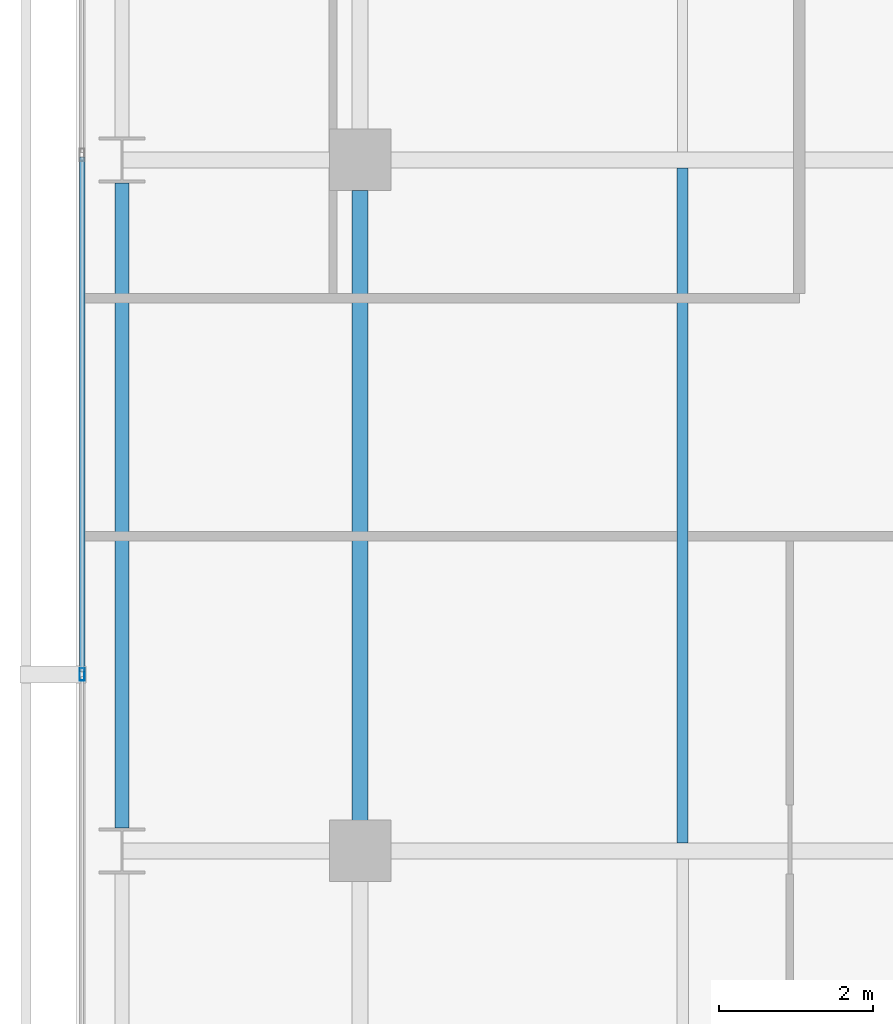
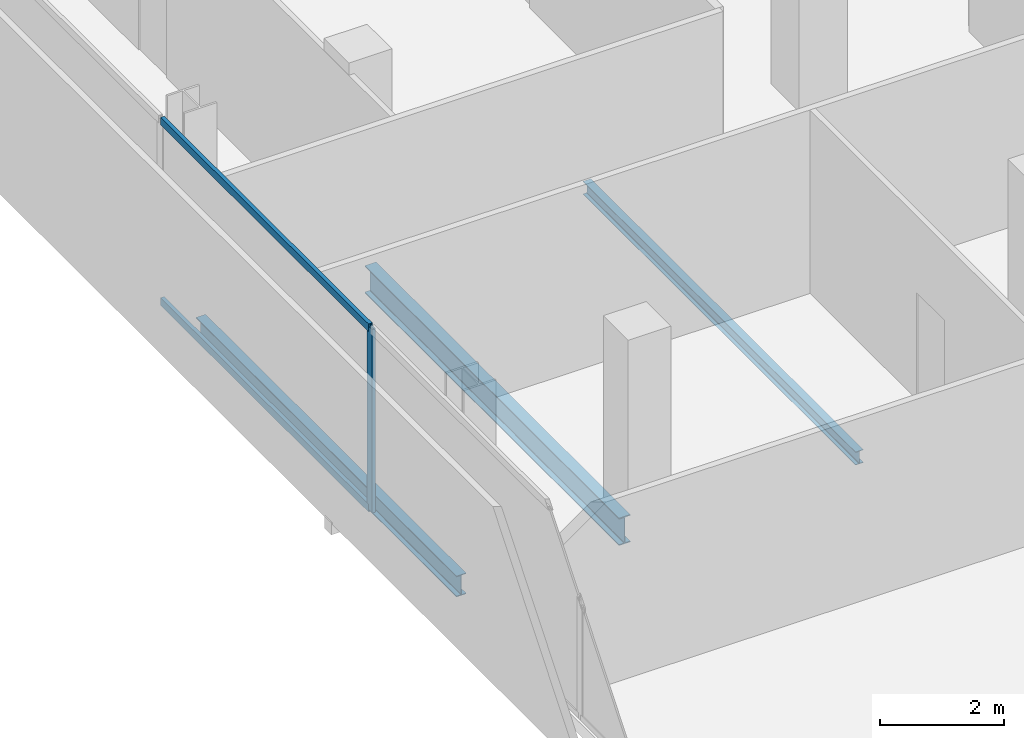
# One storey, part 10 of 32: 3 beams, 3 members, 1 element without a shape of its own.
"""IFC4 building model written with IfcOpenShell, lengths in metres."""

import ifcopenshell
import ifcopenshell.guid

model = None  # the IFC model being written
_history = None  # IfcOwnerHistory: only IFC2X3 demands one
_inside = {}  # id of a spatial element -> (the spatial element, [elements in it])
_under = {}  # id of a project, library or spatial element -> (it, [spatial elements below it])
_declared = {}  # id of a project -> (the project, [libraries it declares])
_typed = {}  # id of a type object -> (the type object, [elements of that type])
_made_of = {}  # id of a material, layer set ... -> (it, [elements and type objects made of it])


def new_model(schema):
    """Start an empty IFC model of exactly this schema.

    Asked for "IFC4X3", IfcOpenShell would pick the latest addendum, in which some entities
    have other attributes; the version numbers below select the first issue.
    IFC2X3 requires an IfcOwnerHistory on every rooted entity: one is made here for all.
    """
    global model, _history
    if schema == "IFC4X3":
        model = ifcopenshell.file(schema_version=(4, 3, 0, 0))
    else:
        model = ifcopenshell.file(schema=schema)
    _inside.clear()
    _under.clear()
    _declared.clear()
    _typed.clear()
    _made_of.clear()
    _history = None
    if model.schema == "IFC2X3":
        org = make("IfcOrganization", Name="unknown")
        user = make(
            "IfcPersonAndOrganization",
            ThePerson=make("IfcPerson", FamilyName="unknown"),
            TheOrganization=org,
        )
        app = make(
            "IfcApplication",
            ApplicationDeveloper=org,
            Version="unknown",
            ApplicationFullName="unknown",
            ApplicationIdentifier="unknown",
        )
        _history = make(
            "IfcOwnerHistory",
            OwningUser=user,
            OwningApplication=app,
            ChangeAction="ADDED",
            CreationDate=0,
        )
    return model


def make(cls, **values):
    """One entity of the class cls with the attributes given. An attribute that is None is left unset."""
    return model.create_entity(
        cls, **{name: value for name, value in values.items() if value is not None}
    )


def rooted(cls, **values):
    """An entity with a GlobalId (a new one), such as an element, a storey or a relation."""
    return make(cls, GlobalId=ifcopenshell.guid.new(), OwnerHistory=_history, **values)


def si_unit(unit_type, name, prefix=None):
    """IfcSIUnit, for example si_unit("LENGTHUNIT", "METRE", prefix="MILLI")."""
    return make("IfcSIUnit", UnitType=unit_type, Prefix=prefix, Name=name)


def assignment(units):
    """IfcUnitAssignment: the units of a project."""
    return None if units is None else make("IfcUnitAssignment", Units=units)


def point(xyz):
    """IfcCartesianPoint."""
    return None if xyz is None else make("IfcCartesianPoint", Coordinates=xyz)


def direction(xyz):
    """IfcDirection."""
    return None if xyz is None else make("IfcDirection", DirectionRatios=xyz)


def frame(location, z_axis=None, x_axis=None):
    """IfcAxis2Placement3D, a coordinate frame: its origin and axes. An axis left out is left unset."""
    return make(
        "IfcAxis2Placement3D",
        Location=point(location),
        Axis=direction(z_axis),
        RefDirection=direction(x_axis),
    )


def frame_2d(location, x_axis=None):
    """IfcAxis2Placement2D, a coordinate frame in the plane: its origin and x axis."""
    return make(
        "IfcAxis2Placement2D", Location=point(location), RefDirection=direction(x_axis)
    )


def origin():
    """The frame at (0, 0, 0) with its axes left unset."""
    return frame((0.0, 0.0, 0.0))


def origin_2d():
    """The frame at (0, 0) in the plane with its x axis left unset."""
    return frame_2d((0.0, 0.0))


def place(relative_to, where):
    """IfcLocalPlacement: puts the frame where relative to a parent placement (None: the world)."""
    return make(
        "IfcLocalPlacement", PlacementRelTo=relative_to, RelativePlacement=where
    )


def context(
    kind, dimensions, precision=None, world=None, true_north=None, identifier=None
):
    """IfcGeometricRepresentationContext, for example the 3D "Model" context."""
    return make(
        "IfcGeometricRepresentationContext",
        ContextIdentifier=identifier,
        ContextType=kind,
        CoordinateSpaceDimension=dimensions,
        Precision=precision,
        WorldCoordinateSystem=world,
        TrueNorth=true_north,
    )


def subcontext(parent, identifier, kind, view, scale=None):
    """IfcGeometricRepresentationSubContext, for example "Body" below "Model"."""
    return make(
        "IfcGeometricRepresentationSubContext",
        ContextIdentifier=identifier,
        ContextType=kind,
        ParentContext=parent,
        TargetScale=scale,
        TargetView=view,
    )


def project(units=None, contexts=None):
    """IfcProject with its units and contexts."""
    return rooted(
        "IfcProject",
        Name="project",
        RepresentationContexts=contexts,
        UnitsInContext=assignment(units),
    )


def spatial(cls, under=None, at=None, **own):
    """A site, building, storey or space (cls), placed at a placement, below another one or the project."""
    s = rooted(cls, ObjectPlacement=at, **own)
    if under is not None:
        _under.setdefault(under.id(), (under, []))[1].append(s)
    return s


def profile(cls, at=None, kind="AREA", **sizes):
    """A parametric profile (cls). Its sizes go by their IFC names, for example OverallWidth=200.0."""
    return make(cls, ProfileType=kind, Position=at, **sizes)


def hollow_rectangle(**sizes):
    """IfcRectangleHollowProfileDef."""
    return profile("IfcRectangleHollowProfileDef", **sizes)


def i_section(**sizes):
    """IfcIShapeProfileDef."""
    return profile("IfcIShapeProfileDef", **sizes)


def extrude(swept, where, along, depth):
    """IfcExtrudedAreaSolid: the profile swept, set in the frame where, extruded along a direction by depth."""
    return make(
        "IfcExtrudedAreaSolid",
        SweptArea=swept,
        Position=where,
        ExtrudedDirection=direction(along),
        Depth=depth,
    )


def shape(context_of_items, identifier, shape_type, items):
    """IfcShapeRepresentation: the items that make up one representation, for example the "Body"."""
    return make(
        "IfcShapeRepresentation",
        ContextOfItems=context_of_items,
        RepresentationIdentifier=identifier,
        RepresentationType=shape_type,
        Items=items,
    )


def material(Name=None, Category=None):
    """IfcMaterial."""
    return make("IfcMaterial", Name=Name, Category=Category)


def layer(
    of_material, thickness, ventilated=None, Name=None, Category=None, Priority=None
):
    """IfcMaterialLayer: one layer of a wall or slab, of a material (None: an air gap)."""
    return make(
        "IfcMaterialLayer",
        Material=of_material,
        LayerThickness=thickness,
        IsVentilated=ventilated,
        Name=Name,
        Category=Category,
        Priority=Priority,
    )


def layer_set(layers, Name=None):
    """IfcMaterialLayerSet."""
    return make("IfcMaterialLayerSet", MaterialLayers=layers, LayerSetName=Name)


def material_profile(
    of_material, cross_section, Name=None, Category=None, Priority=None
):
    """IfcMaterialProfile: a cross section and its material."""
    return make(
        "IfcMaterialProfile",
        Name=Name,
        Material=of_material,
        Profile=cross_section,
        Priority=Priority,
        Category=Category,
    )


def profile_set(profiles, Name=None, composite=None):
    """IfcMaterialProfileSet."""
    return make(
        "IfcMaterialProfileSet",
        Name=Name,
        MaterialProfiles=profiles,
        CompositeProfile=composite,
    )


def made_of(thing, what):
    """Note that an element or type object is made of a material, layer set ...; save() writes the relation."""
    if what is not None:
        _made_of.setdefault(what.id(), (what, []))[1].append(thing)
    return thing


def type_object(cls, material=None, **own):
    """A type object (cls), such as IfcWallType, which elements share."""
    return made_of(rooted(cls, **own), material)


def element(
    cls,
    number,
    at=None,
    inside=None,
    cuts=None,
    type_object=None,
    material=None,
    context=None,
    identifier="Body",
    shape_type=None,
    held_by="IfcProductDefinitionShape",
    body=None,
    shapes=None,
    **own,
):
    """One element of the class cls, such as IfcWall. Its Tag is "e" and its number.

    at: its placement. inside: the storey or other place that contains it. cuts: it is an
    opening in that element (IfcRelVoidsElement). A single representation is given by context,
    identifier, shape_type and body (its items); several are given by shapes. held_by: the class
    of the entity that holds the representations. save() writes the other relations.
    """
    e = rooted(cls, Tag="e%d" % number, ObjectPlacement=at, **own)
    if body is not None:
        shapes = [shape(context, identifier, shape_type, body)]
    if shapes is not None:
        e.Representation = make(held_by, Representations=shapes)
    if inside is not None:
        _inside.setdefault(inside.id(), (inside, []))[1].append(e)
    if cuts is not None:
        rooted(
            "IfcRelVoidsElement", RelatingBuildingElement=cuts, RelatedOpeningElement=e
        )
    if type_object is not None:
        _typed.setdefault(type_object.id(), (type_object, []))[1].append(e)
    return made_of(e, material)


def aggregate(whole, parts):
    """IfcRelAggregates: a whole, such as a stair, and the parts it consists of."""
    return rooted("IfcRelAggregates", RelatingObject=whole, RelatedObjects=parts)


def save(model, path):
    """Write the relations noted so far, then the file.

    IfcRelAggregates (storeys below a building ...), IfcRelContainedInSpatialStructure (elements
    in a storey), IfcRelDefinesByType, IfcRelAssociatesMaterial and IfcRelDeclares: one each for
    every whole, place, type object, material and project.
    """
    for whole, parts in _under.values():
        aggregate(whole, parts)
    for where, things in _inside.values():
        rooted(
            "IfcRelContainedInSpatialStructure",
            RelatedElements=things,
            RelatingStructure=where,
        )
    for kind, things in _typed.values():
        rooted("IfcRelDefinesByType", RelatedObjects=things, RelatingType=kind)
    for what, things in _made_of.values():
        rooted("IfcRelAssociatesMaterial", RelatedObjects=things, RelatingMaterial=what)
    for by, libraries in _declared.values():
        rooted("IfcRelDeclares", RelatingContext=by, RelatedDefinitions=libraries)
    model.write(path)


model = new_model("IFC4")

# Units and contexts
model_context = context("Model", 3, precision=1e-05, world=origin(), true_north=direction((0.0, 1.0)))
body_context = subcontext(model_context, "Body", "Model", "MODEL_VIEW")
ifc_project = project(units=[si_unit("LENGTHUNIT", "METRE"), si_unit("AREAUNIT", "SQUARE_METRE"), si_unit("VOLUMEUNIT", "CUBIC_METRE"), si_unit("PLANEANGLEUNIT", "RADIAN"), si_unit("MASSUNIT", "GRAM", prefix="KILO")], contexts=[model_context])

# Site, building, storey
site_placement = place(None, origin())
site = spatial("IfcSite", under=ifc_project, at=site_placement, CompositionType="ELEMENT")
building_placement = place(site_placement, origin())
building = spatial("IfcBuilding", under=site, at=building_placement, Name="Maruvema Waterfront Hotel and Observation Tower", CompositionType="ELEMENT")
storey_placement = place(building_placement, frame((0.0, 0.0, 219.800048828125)))
storey = spatial("IfcBuildingStorey", under=building, at=storey_placement, Name="L54", CompositionType="ELEMENT", Elevation=219.800048828125)

# Curtain wall, members
ifc_material_1 = material(Name="Anodised bronze aluminium and solar-control low-E IGU", Category="aluminium")
ifc_layer = layer(ifc_material_1, 0.159912109375, Name="Zone 2 Amber Inner Thermal Curtain Wall System CW-03")
ifc_layer_set = layer_set([ifc_layer], Name="Anodised bronze aluminium and solar-control low-E IGU")
curtain_wall_type = type_object("IfcCurtainWallType", Name="Zone 2 Amber Inner Thermal Curtain Wall System CW-03", PredefinedType="USERDEFINED", material=ifc_layer_set)
curtain_wall_placement = place(storey_placement, origin())
curtain_wall = element("IfcCurtainWall", 1, at=curtain_wall_placement, inside=storey, type_object=curtain_wall_type, Name="L54 Curtain Wall CW-L54-W", ObjectType="UNITISED CURTAIN WALL", PredefinedType="USERDEFINED")
ifc_material_2 = material(Name="Anodised architectural bronze aluminium", Category="aluminium")
ifc_material_profile_1 = material_profile(ifc_material_2, hollow_rectangle(XDim=0.070068359375, YDim=0.14990234375, WallThickness=0.00390625, at=origin_2d()), Name="ALU-T70x150")
ifc_profile_set_1 = profile_set([ifc_material_profile_1], Name="Anodised architectural bronze aluminium")
member_type_1 = type_object("IfcMemberType", Name="Curtain Wall Horizontal Transom ALU-T70x150", PredefinedType="USERDEFINED", material=ifc_profile_set_1)
member_1_placement = place(storey_placement, frame((13.179931640625, 36.03662109375, 0.030029296875), z_axis=(0.0, -1.0, 0.0), x_axis=(1.0, 0.0, 0.0)))
member_1 = element("IfcMember", 2, at=member_1_placement, type_object=member_type_1, Name="CW-03 transom 3.1", ObjectType="TRANSOM", PredefinedType="USERDEFINED", context=body_context, shape_type="SweptSolid", body=[
    extrude(hollow_rectangle(XDim=0.070068359375, YDim=0.14990234375, WallThickness=0.00390625, at=origin_2d()), origin(), (0.0, 0.0, 1.0), 6.70654296875),
])
member_2_placement = place(storey_placement, frame((13.179931640625, 36.03662109375, 3.579833984375), z_axis=(0.0, -1.0, 0.0), x_axis=(1.0, 0.0, 0.0)))
member_2 = element("IfcMember", 3, at=member_2_placement, type_object=member_type_1, Name="CW-03 transom 3.2", ObjectType="TRANSOM", PredefinedType="USERDEFINED", context=body_context, shape_type="SweptSolid", body=[
    extrude(hollow_rectangle(XDim=0.070068359375, YDim=0.14990234375, WallThickness=0.00390625, at=origin_2d()), origin(), (0.0, 0.0, 1.0), 6.70654296875),
])
ifc_material_3 = material(Name="Anodised architectural bronze aluminium", Category="aluminium")
ifc_material_profile_2 = material_profile(ifc_material_3, hollow_rectangle(XDim=0.06494140625, YDim=0.1650390625, WallThickness=0.00390625, at=origin_2d()), Name="ALU-M65x165")
ifc_profile_set_2 = profile_set([ifc_material_profile_2], Name="Anodised architectural bronze aluminium")
member_type_2 = type_object("IfcMemberType", Name="Curtain Wall Primary Mullion ALU-M65x165", PredefinedType="MULLION", material=ifc_profile_set_2)
member_3_placement = place(storey_placement, frame((13.179931640625, 29.300048828125, 0.0), z_axis=(0.0, 0.0, 1.0), x_axis=(1.0, 0.0, 0.0)))
member_3 = element("IfcMember", 4, at=member_3_placement, type_object=member_type_2, Name="CW-03 mullion 4", PredefinedType="MULLION", context=body_context, shape_type="SweptSolid", body=[
    extrude(hollow_rectangle(XDim=0.06494140625, YDim=0.1650390625, WallThickness=0.00390625, at=origin_2d()), origin(), (0.0, 0.0, 1.0), 3.60986328125),
])
aggregate(curtain_wall, [member_3, member_1, member_2])

# Beams
ifc_material_4 = material(Name="Steel ASTM A572 Grade 50", Category="steel")
ifc_material_profile_3 = material_profile(ifc_material_4, i_section(OverallWidth=0.178955078125, OverallDepth=0.409912109375, WebThickness=0.0087890625, FlangeThickness=0.014404296875, FilletRadius=0.014892578125, at=origin_2d()), Name="W410x67.0")
ifc_profile_set_3 = profile_set([ifc_material_profile_3], Name="Steel ASTM A572 Grade 50")
beam_type_1 = type_object("IfcBeamType", Name="Perimeter Spandrel Beam W410x67.0", PredefinedType="SPANDREL", material=ifc_profile_set_3)
beam_1_placement = place(storey_placement, frame((13.699951171875, 27.300048828125, -0.445068359375), z_axis=(0.0, 1.0, 0.0), x_axis=(-1.0, 0.0, 0.0)))
element("IfcBeam", 5, at=beam_1_placement, inside=storey, type_object=beam_type_1, Name="L54 Floor Girder NS-03", PredefinedType="SPANDREL", context=body_context, shape_type="SweptSolid", body=[
    extrude(i_section(OverallWidth=0.178955078125, OverallDepth=0.409912109375, WebThickness=0.0087890625, FlangeThickness=0.014404296875, FilletRadius=0.014892578125, at=origin_2d()), origin(), (0.0, 0.0, 1.0), 8.39990234375),
])
ifc_material_5 = material(Name="Steel ASTM A572 Grade 50", Category="steel")
ifc_material_profile_4 = material_profile(ifc_material_5, i_section(OverallWidth=0.2109375, OverallDepth=0.5390625, WebThickness=0.01171875, FlangeThickness=0.018798828125, FilletRadius=0.014892578125, at=origin_2d()), Name="W530x109.0")
ifc_profile_set_4 = profile_set([ifc_material_profile_4], Name="Steel ASTM A572 Grade 50")
beam_type_2 = type_object("IfcBeamType", Name="Primary Floor Girder W530x109.0", PredefinedType="BEAM", material=ifc_profile_set_4)
beam_2_placement = place(storey_placement, frame((16.800048828125, 27.39990234375, -0.509521484375), z_axis=(0.0, 1.0, 0.0), x_axis=(-1.0, 0.0, 0.0)))
element("IfcBeam", 6, at=beam_2_placement, inside=storey, type_object=beam_type_2, Name="L54 Floor Girder NS-07", PredefinedType="BEAM", context=body_context, shape_type="SweptSolid", body=[
    extrude(i_section(OverallWidth=0.2109375, OverallDepth=0.5390625, WebThickness=0.01171875, FlangeThickness=0.018798828125, FilletRadius=0.014892578125, at=origin_2d()), origin(), (0.0, 0.0, 1.0), 8.2001953125),
])
ifc_material_6 = material(Name="Steel ASTM A572 Grade 50", Category="steel")
ifc_material_profile_5 = material_profile(ifc_material_6, i_section(OverallWidth=0.14599609375, OverallDepth=0.258056640625, WebThickness=0.006103515625, FlangeThickness=0.009033203125, FilletRadius=0.012939453125, at=origin_2d()), Name="W250x32.7")
ifc_profile_set_5 = profile_set([ifc_material_profile_5], Name="Steel ASTM A572 Grade 50")
beam_type_3 = type_object("IfcBeamType", Name="Secondary Floor Joist W250x32.7", PredefinedType="JOIST", material=ifc_profile_set_5)
beam_3_placement = place(storey_placement, frame((21.0, 27.10546875, -0.369140625), z_axis=(0.0, 1.0, 0.0), x_axis=(-1.0, 0.0, 0.0)))
element("IfcBeam", 7, at=beam_3_placement, inside=storey, type_object=beam_type_3, Name="L54 Secondary Floor Joist JS-03", PredefinedType="JOIST", context=body_context, shape_type="SweptSolid", body=[
    extrude(i_section(OverallWidth=0.14599609375, OverallDepth=0.258056640625, WebThickness=0.006103515625, FlangeThickness=0.009033203125, FilletRadius=0.012939453125, at=origin_2d()), origin(), (0.0, 0.0, 1.0), 8.7890625),
])

save(model, "model.ifc")
